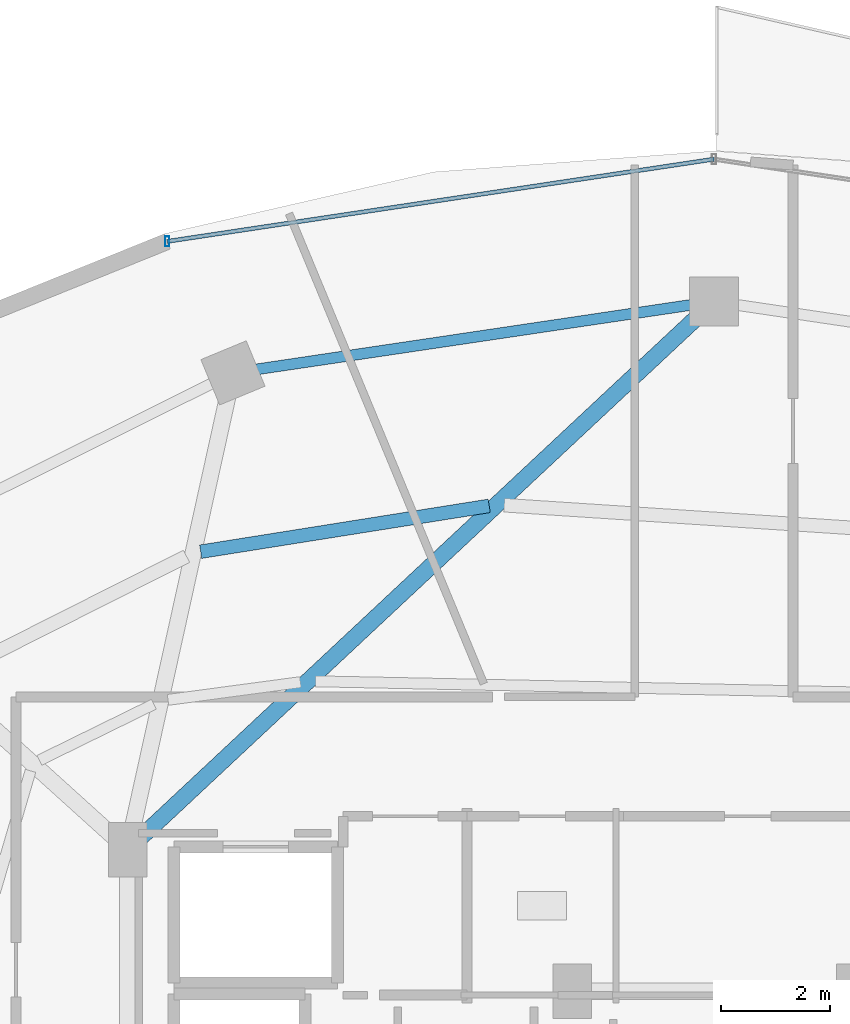
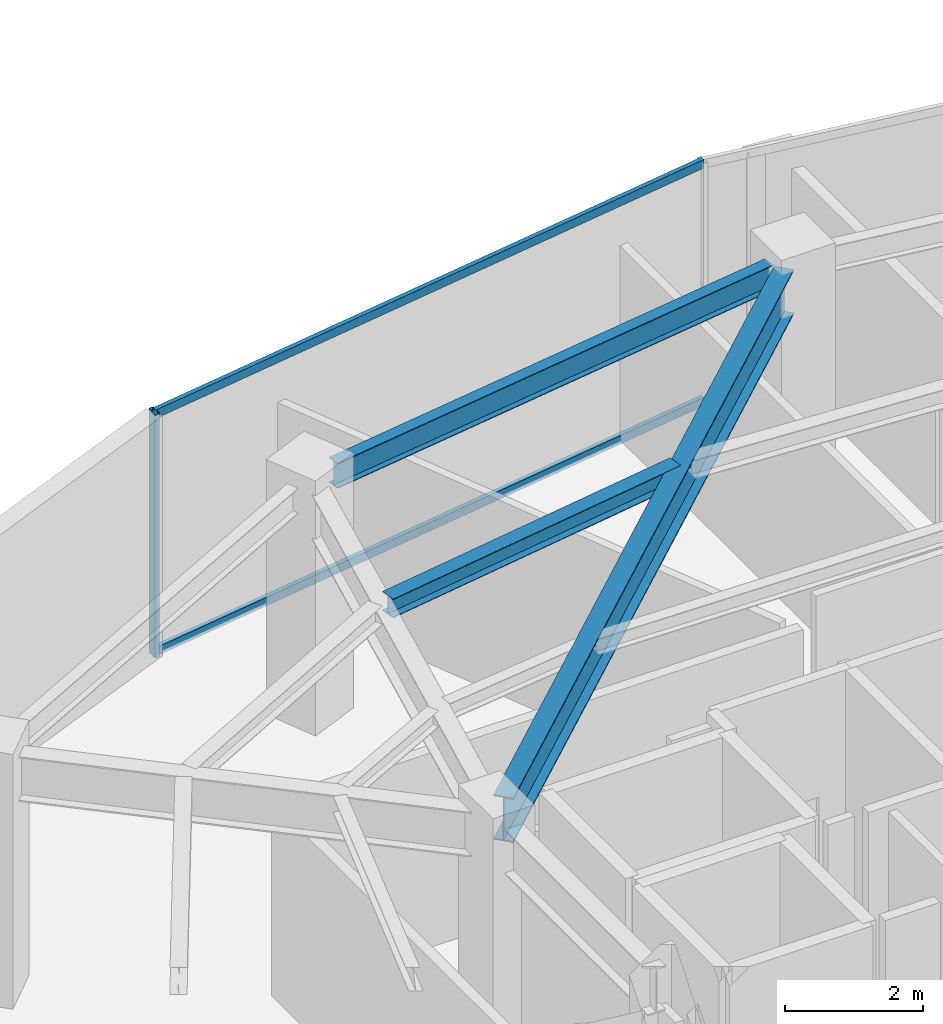
# One storey, part 17 of 27: 3 beams, 3 members, 1 element without a shape of its own.
"""IFC4 building model written with IfcOpenShell, lengths in metres."""

from ifc_helpers import new_model, si_unit, direction, frame, origin, origin_2d, place, context, subcontext, project, spatial, hollow_rectangle, i_section, extrude, material, material_profile, profile_set, type_object, element, aggregate, save


model = new_model("IFC4")

# Units and contexts
model_context = context("Model", 3, precision=1e-05, world=origin(), true_north=direction((0.0, 1.0)))
body_context = subcontext(model_context, "Body", "Model", "MODEL_VIEW")
ifc_project = project(units=[si_unit("LENGTHUNIT", "METRE"), si_unit("AREAUNIT", "SQUARE_METRE"), si_unit("VOLUMEUNIT", "CUBIC_METRE"), si_unit("PLANEANGLEUNIT", "RADIAN"), si_unit("MASSUNIT", "GRAM", prefix="KILO")], contexts=[model_context])

# Site, building, storey
site_placement = place(None, origin())
site = spatial("IfcSite", under=ifc_project, at=site_placement, CompositionType="ELEMENT")
building_placement = place(site_placement, origin())
building = spatial("IfcBuilding", under=site, at=building_placement, Name="Vorneva Point Tower", CompositionType="ELEMENT")
storey_placement = place(building_placement, frame((0.0, 0.0, 229.75)))
storey = spatial("IfcBuildingStorey", under=building, at=storey_placement, Name="L62", CompositionType="ELEMENT", Elevation=229.75)

# Beams
ifc_material_1 = material(Name="Steel S355", Category="steel")
ifc_material_profile_1 = material_profile(ifc_material_1, i_section(OverallWidth=0.300048828125, OverallDepth=0.7880859375, WebThickness=0.014404296875, FlangeThickness=0.02197265625, at=origin_2d()), Name="80Sh1")
ifc_profile_set_1 = profile_set([ifc_material_profile_1], Name="Steel S355")
beam_type_1 = type_object("IfcBeamType", Name="BM-GRD-80Sh1", PredefinedType="USERDEFINED", material=ifc_profile_set_1)
beam_1_placement = place(storey_placement, frame((37.679931640625, 42.90087890625, 3.845947265625), z_axis=(-0.730484767146, -0.682928989696, 0.0), x_axis=(0.682928989696, -0.730484767146, 0.0)))
element("IfcBeam", 1, at=beam_1_placement, inside=storey, type_object=beam_type_1, Name="L62 Radial Primary Girder 05", ObjectType="GIRDER", PredefinedType="USERDEFINED", context=body_context, shape_type="SweptSolid", body=[
    extrude(i_section(OverallWidth=0.300048828125, OverallDepth=0.7880859375, WebThickness=0.014404296875, FlangeThickness=0.02197265625, at=origin_2d()), origin(), (0.0, 0.0, 1.0), 13.938232421875),
])
ifc_material_profile_2 = material_profile(ifc_material_1, i_section(OverallWidth=0.2490234375, OverallDepth=0.333984375, WebThickness=0.008056640625, FlangeThickness=0.010986328125, at=origin_2d()), Name="35Sh1")
ifc_profile_set_2 = profile_set([ifc_material_profile_2], Name="Steel S355")
beam_type_2 = type_object("IfcBeamType", Name="BM-SEC-35Sh1", PredefinedType="BEAM", material=ifc_profile_set_2)
beam_2_placement = place(storey_placement, frame((33.87841796875, 39.452392578125, 4.072998046875), z_axis=(-0.987609534462, -0.156931218819, 0.0), x_axis=(0.156931218819, -0.987609534462, 0.0)))
element("IfcBeam", 2, at=beam_2_placement, inside=storey, type_object=beam_type_2, Name="L62 Secondary Floor Beam 1.05", PredefinedType="BEAM", context=body_context, shape_type="SweptSolid", body=[
    extrude(i_section(OverallWidth=0.2490234375, OverallDepth=0.333984375, WebThickness=0.008056640625, FlangeThickness=0.010986328125, at=origin_2d()), origin(), (0.0, 0.0, 1.0), 5.35791015625),
])
ifc_material_profile_3 = material_profile(ifc_material_1, i_section(OverallWidth=0.198974609375, OverallDepth=0.446044921875, WebThickness=0.008056640625, FlangeThickness=0.011962890625, at=origin_2d()), Name="45B1")
ifc_profile_set_3 = profile_set([ifc_material_profile_3], Name="Steel S355")
beam_type_3 = type_object("IfcBeamType", Name="BM-SPN-45B1", PredefinedType="SPANDREL", material=ifc_profile_set_3)
beam_3_placement = place(storey_placement, frame((37.569580078125, 43.135986328125, 4.01708984375), z_axis=(-0.989165476332, -0.146804837907, 0.0), x_axis=(0.146804837907, -0.989165476332, 0.0)))
element("IfcBeam", 3, at=beam_3_placement, inside=storey, type_object=beam_type_3, Name="L62 Perimeter Spandrel Ring Beam 05", PredefinedType="SPANDREL", context=body_context, shape_type="SweptSolid", body=[
    extrude(i_section(OverallWidth=0.198974609375, OverallDepth=0.446044921875, WebThickness=0.008056640625, FlangeThickness=0.011962890625, at=origin_2d()), origin(), (0.0, 0.0, 1.0), 8.04736328125),
])

# Curtain wall, members
ifc_material_2 = material(Name="Pale anodised aluminium", Category="aluminium")
curtain_wall_type = type_object("IfcCurtainWallType", Name="CW-SKY-SYS", PredefinedType="NOTDEFINED", material=ifc_material_2)
curtain_wall_placement = place(storey_placement, origin())
curtain_wall = element("IfcCurtainWall", 4, at=curtain_wall_placement, inside=storey, type_object=curtain_wall_type, Name="L62 Unitised Curtain Wall CW-L62-R02", PredefinedType="NOTDEFINED")
ifc_material_profile_4 = material_profile(ifc_material_2, hollow_rectangle(XDim=0.074951171875, YDim=0.179931640625, WallThickness=0.00390625, at=origin_2d()), Name="AL-MUL 180x75x4")
ifc_profile_set_4 = profile_set([ifc_material_profile_4], Name="Pale anodised aluminium")
member_type_1 = type_object("IfcMemberType", Name="CW-MUL-180", PredefinedType="MULLION", material=ifc_profile_set_4)
member_1_placement = place(storey_placement, frame((27.9736328125, 44.302001953125, -0.0400390625), z_axis=(0.0, 0.0, 1.0), x_axis=(1.0, 0.0, 0.0)))
member_1 = element("IfcMember", 5, at=member_1_placement, type_object=member_type_1, Name="CW-L62-R02 Mullion 04", PredefinedType="MULLION", context=body_context, shape_type="SweptSolid", body=[
    extrude(hollow_rectangle(XDim=0.074951171875, YDim=0.179931640625, WallThickness=0.00390625, at=origin_2d()), origin(), (0.0, 0.0, 1.0), 4.31005859375),
])
ifc_material_profile_5 = material_profile(ifc_material_2, hollow_rectangle(XDim=0.074951171875, YDim=0.14990234375, WallThickness=0.00390625, at=origin_2d()), Name="AL-TRN 150x75x4")
ifc_profile_set_5 = profile_set([ifc_material_profile_5], Name="Pale anodised aluminium")
member_type_2 = type_object("IfcMemberType", Name="CW-TRN-150", PredefinedType="USERDEFINED", material=ifc_profile_set_5)
member_2_placement = place(storey_placement, frame((38.0, 45.81005859375, 0.02001953125), z_axis=(-0.988876929856, -0.148736066907, 0.0), x_axis=(0.148736066907, -0.988876929856, 0.0)))
member_2 = element("IfcMember", 6, at=member_2_placement, type_object=member_type_2, Name="CW-L62-R02 Transom 03.1", ObjectType="TRANSOM", PredefinedType="USERDEFINED", context=body_context, shape_type="SweptSolid", body=[
    extrude(hollow_rectangle(XDim=0.074951171875, YDim=0.14990234375, WallThickness=0.00390625, at=origin_2d()), origin(), (0.0, 0.0, 1.0), 10.13916015625),
])
member_3_placement = place(storey_placement, frame((38.0, 45.81005859375, 4.219970703125), z_axis=(-0.988876929856, -0.148736066907, 0.0), x_axis=(0.148736066907, -0.988876929856, 0.0)))
member_3 = element("IfcMember", 7, at=member_3_placement, type_object=member_type_2, Name="CW-L62-R02 Transom 03.2", ObjectType="TRANSOM", PredefinedType="USERDEFINED", context=body_context, shape_type="SweptSolid", body=[
    extrude(hollow_rectangle(XDim=0.074951171875, YDim=0.14990234375, WallThickness=0.00390625, at=origin_2d()), origin(), (0.0, 0.0, 1.0), 10.13916015625),
])
aggregate(curtain_wall, [member_1, member_2, member_3])

save(model, "model.ifc")
